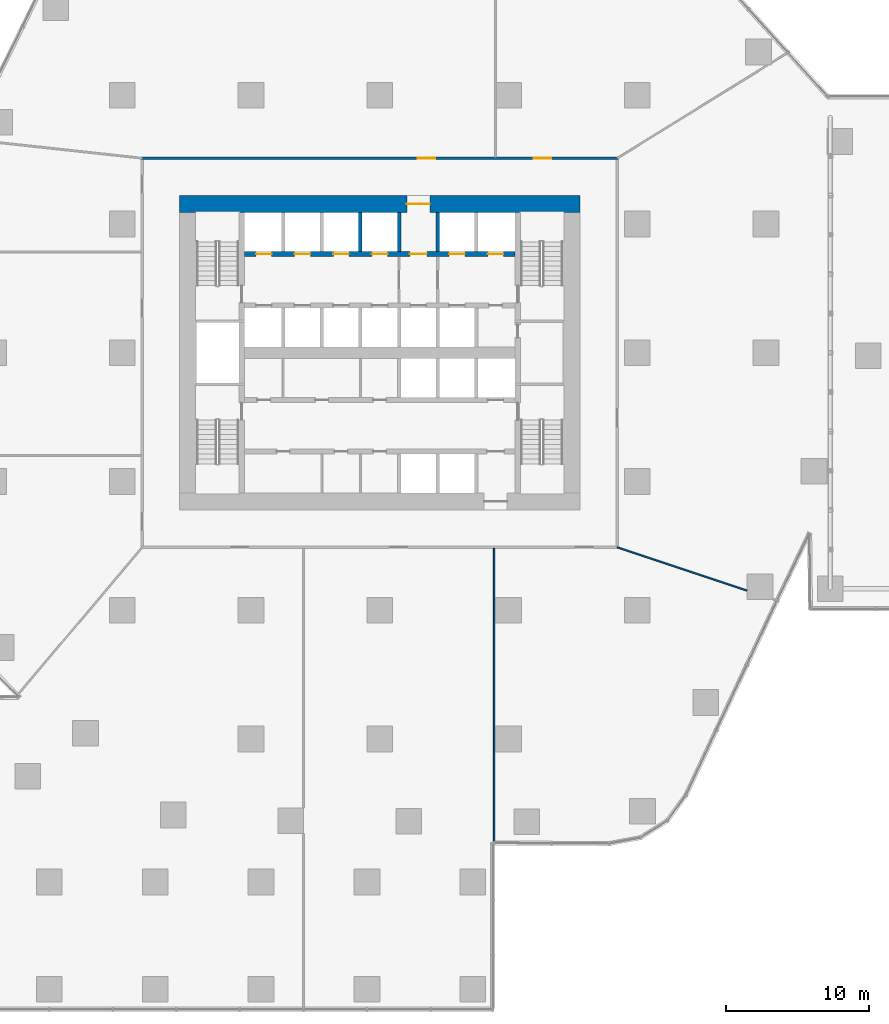
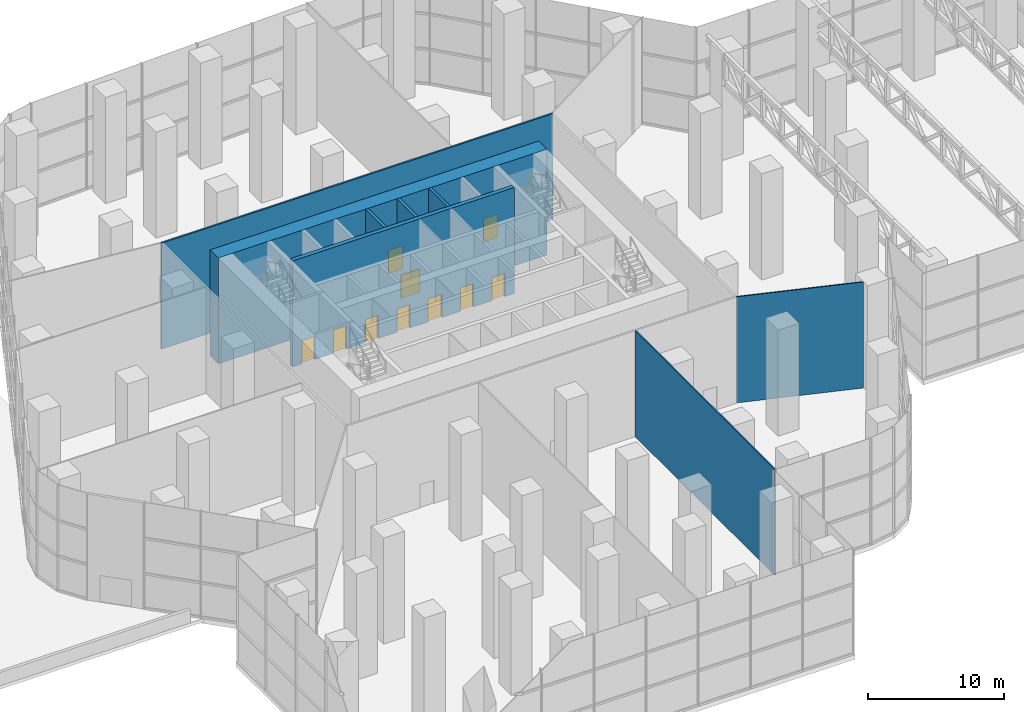
# One storey, part 17 of 21: 10 doors, 8 walls, 10 openings.
"""IFC4 building model written with IfcOpenShell, lengths in metres."""

import ifcopenshell
import ifcopenshell.guid

model = None  # the IFC model being written
_history = None  # IfcOwnerHistory: only IFC2X3 demands one
_inside = {}  # id of a spatial element -> (the spatial element, [elements in it])
_under = {}  # id of a project, library or spatial element -> (it, [spatial elements below it])
_declared = {}  # id of a project -> (the project, [libraries it declares])
_typed = {}  # id of a type object -> (the type object, [elements of that type])
_made_of = {}  # id of a material, layer set ... -> (it, [elements and type objects made of it])


def new_model(schema):
    """Start an empty IFC model of exactly this schema.

    Asked for "IFC4X3", IfcOpenShell would pick the latest addendum, in which some entities
    have other attributes; the version numbers below select the first issue.
    IFC2X3 requires an IfcOwnerHistory on every rooted entity: one is made here for all.
    """
    global model, _history
    if schema == "IFC4X3":
        model = ifcopenshell.file(schema_version=(4, 3, 0, 0))
    else:
        model = ifcopenshell.file(schema=schema)
    _inside.clear()
    _under.clear()
    _declared.clear()
    _typed.clear()
    _made_of.clear()
    _history = None
    if model.schema == "IFC2X3":
        org = make("IfcOrganization", Name="unknown")
        user = make(
            "IfcPersonAndOrganization",
            ThePerson=make("IfcPerson", FamilyName="unknown"),
            TheOrganization=org,
        )
        app = make(
            "IfcApplication",
            ApplicationDeveloper=org,
            Version="unknown",
            ApplicationFullName="unknown",
            ApplicationIdentifier="unknown",
        )
        _history = make(
            "IfcOwnerHistory",
            OwningUser=user,
            OwningApplication=app,
            ChangeAction="ADDED",
            CreationDate=0,
        )
    return model


def make(cls, **values):
    """One entity of the class cls with the attributes given. An attribute that is None is left unset."""
    return model.create_entity(
        cls, **{name: value for name, value in values.items() if value is not None}
    )


def rooted(cls, **values):
    """An entity with a GlobalId (a new one), such as an element, a storey or a relation."""
    return make(cls, GlobalId=ifcopenshell.guid.new(), OwnerHistory=_history, **values)


def si_unit(unit_type, name, prefix=None):
    """IfcSIUnit, for example si_unit("LENGTHUNIT", "METRE", prefix="MILLI")."""
    return make("IfcSIUnit", UnitType=unit_type, Prefix=prefix, Name=name)


def assignment(units):
    """IfcUnitAssignment: the units of a project."""
    return None if units is None else make("IfcUnitAssignment", Units=units)


def point(xyz):
    """IfcCartesianPoint."""
    return None if xyz is None else make("IfcCartesianPoint", Coordinates=xyz)


def direction(xyz):
    """IfcDirection."""
    return None if xyz is None else make("IfcDirection", DirectionRatios=xyz)


def frame(location, z_axis=None, x_axis=None):
    """IfcAxis2Placement3D, a coordinate frame: its origin and axes. An axis left out is left unset."""
    return make(
        "IfcAxis2Placement3D",
        Location=point(location),
        Axis=direction(z_axis),
        RefDirection=direction(x_axis),
    )


def frame_2d(location, x_axis=None):
    """IfcAxis2Placement2D, a coordinate frame in the plane: its origin and x axis."""
    return make(
        "IfcAxis2Placement2D", Location=point(location), RefDirection=direction(x_axis)
    )


def origin():
    """The frame at (0, 0, 0) with its axes left unset."""
    return frame((0.0, 0.0, 0.0))


def place(relative_to, where):
    """IfcLocalPlacement: puts the frame where relative to a parent placement (None: the world)."""
    return make(
        "IfcLocalPlacement", PlacementRelTo=relative_to, RelativePlacement=where
    )


def context(
    kind, dimensions, precision=None, world=None, true_north=None, identifier=None
):
    """IfcGeometricRepresentationContext, for example the 3D "Model" context."""
    return make(
        "IfcGeometricRepresentationContext",
        ContextIdentifier=identifier,
        ContextType=kind,
        CoordinateSpaceDimension=dimensions,
        Precision=precision,
        WorldCoordinateSystem=world,
        TrueNorth=true_north,
    )


def subcontext(parent, identifier, kind, view, scale=None):
    """IfcGeometricRepresentationSubContext, for example "Body" below "Model"."""
    return make(
        "IfcGeometricRepresentationSubContext",
        ContextIdentifier=identifier,
        ContextType=kind,
        ParentContext=parent,
        TargetScale=scale,
        TargetView=view,
    )


def project(units=None, contexts=None):
    """IfcProject with its units and contexts."""
    return rooted(
        "IfcProject",
        Name="project",
        RepresentationContexts=contexts,
        UnitsInContext=assignment(units),
    )


def spatial(cls, under=None, at=None, **own):
    """A site, building, storey or space (cls), placed at a placement, below another one or the project."""
    s = rooted(cls, ObjectPlacement=at, **own)
    if under is not None:
        _under.setdefault(under.id(), (under, []))[1].append(s)
    return s


def profile(cls, at=None, kind="AREA", **sizes):
    """A parametric profile (cls). Its sizes go by their IFC names, for example OverallWidth=200.0."""
    return make(cls, ProfileType=kind, Position=at, **sizes)


def rectangle(**sizes):
    """IfcRectangleProfileDef."""
    return profile("IfcRectangleProfileDef", **sizes)


def extrude(swept, where, along, depth):
    """IfcExtrudedAreaSolid: the profile swept, set in the frame where, extruded along a direction by depth."""
    return make(
        "IfcExtrudedAreaSolid",
        SweptArea=swept,
        Position=where,
        ExtrudedDirection=direction(along),
        Depth=depth,
    )


def shape(context_of_items, identifier, shape_type, items):
    """IfcShapeRepresentation: the items that make up one representation, for example the "Body"."""
    return make(
        "IfcShapeRepresentation",
        ContextOfItems=context_of_items,
        RepresentationIdentifier=identifier,
        RepresentationType=shape_type,
        Items=items,
    )


def material(Name=None, Category=None):
    """IfcMaterial."""
    return make("IfcMaterial", Name=Name, Category=Category)


def layer(
    of_material, thickness, ventilated=None, Name=None, Category=None, Priority=None
):
    """IfcMaterialLayer: one layer of a wall or slab, of a material (None: an air gap)."""
    return make(
        "IfcMaterialLayer",
        Material=of_material,
        LayerThickness=thickness,
        IsVentilated=ventilated,
        Name=Name,
        Category=Category,
        Priority=Priority,
    )


def layer_set(layers, Name=None):
    """IfcMaterialLayerSet."""
    return make("IfcMaterialLayerSet", MaterialLayers=layers, LayerSetName=Name)


def made_of(thing, what):
    """Note that an element or type object is made of a material, layer set ...; save() writes the relation."""
    if what is not None:
        _made_of.setdefault(what.id(), (what, []))[1].append(thing)
    return thing


def type_object(cls, material=None, **own):
    """A type object (cls), such as IfcWallType, which elements share."""
    return made_of(rooted(cls, **own), material)


def element(
    cls,
    number,
    at=None,
    inside=None,
    cuts=None,
    type_object=None,
    material=None,
    context=None,
    identifier="Body",
    shape_type=None,
    held_by="IfcProductDefinitionShape",
    body=None,
    shapes=None,
    **own,
):
    """One element of the class cls, such as IfcWall. Its Tag is "e" and its number.

    at: its placement. inside: the storey or other place that contains it. cuts: it is an
    opening in that element (IfcRelVoidsElement). A single representation is given by context,
    identifier, shape_type and body (its items); several are given by shapes. held_by: the class
    of the entity that holds the representations. save() writes the other relations.
    """
    e = rooted(cls, Tag="e%d" % number, ObjectPlacement=at, **own)
    if body is not None:
        shapes = [shape(context, identifier, shape_type, body)]
    if shapes is not None:
        e.Representation = make(held_by, Representations=shapes)
    if inside is not None:
        _inside.setdefault(inside.id(), (inside, []))[1].append(e)
    if cuts is not None:
        rooted(
            "IfcRelVoidsElement", RelatingBuildingElement=cuts, RelatedOpeningElement=e
        )
    if type_object is not None:
        _typed.setdefault(type_object.id(), (type_object, []))[1].append(e)
    return made_of(e, material)


def fill(opening, filler):
    """IfcRelFillsElement: the door or window that sits in an opening."""
    return rooted(
        "IfcRelFillsElement",
        RelatingOpeningElement=opening,
        RelatedBuildingElement=filler,
    )


def aggregate(whole, parts):
    """IfcRelAggregates: a whole, such as a stair, and the parts it consists of."""
    return rooted("IfcRelAggregates", RelatingObject=whole, RelatedObjects=parts)


def save(model, path):
    """Write the relations noted so far, then the file.

    IfcRelAggregates (storeys below a building ...), IfcRelContainedInSpatialStructure (elements
    in a storey), IfcRelDefinesByType, IfcRelAssociatesMaterial and IfcRelDeclares: one each for
    every whole, place, type object, material and project.
    """
    for whole, parts in _under.values():
        aggregate(whole, parts)
    for where, things in _inside.values():
        rooted(
            "IfcRelContainedInSpatialStructure",
            RelatedElements=things,
            RelatingStructure=where,
        )
    for kind, things in _typed.values():
        rooted("IfcRelDefinesByType", RelatedObjects=things, RelatingType=kind)
    for what, things in _made_of.values():
        rooted("IfcRelAssociatesMaterial", RelatedObjects=things, RelatingMaterial=what)
    for by, libraries in _declared.values():
        rooted("IfcRelDeclares", RelatingContext=by, RelatedDefinitions=libraries)
    model.write(path)


model = new_model("IFC4")

# Units and contexts
model_context = context("Model", 3, precision=1e-05, world=origin(), true_north=direction((0.0, 1.0)))
body_context = subcontext(model_context, "Body", "Model", "MODEL_VIEW")
ifc_project = project(units=[si_unit("LENGTHUNIT", "METRE"), si_unit("AREAUNIT", "SQUARE_METRE"), si_unit("VOLUMEUNIT", "CUBIC_METRE"), si_unit("PLANEANGLEUNIT", "RADIAN"), si_unit("MASSUNIT", "GRAM", prefix="KILO")], contexts=[model_context])

# Site, building, storey
site_placement = place(None, origin())
site = spatial("IfcSite", under=ifc_project, at=site_placement, CompositionType="ELEMENT")
building_placement = place(site_placement, origin())
building = spatial("IfcBuilding", under=site, at=building_placement, Name="Dongbaek Canopy Tower", CompositionType="ELEMENT")
storey_placement = place(building_placement, frame((0.0, 0.0, 9.0)))
storey = spatial("IfcBuildingStorey", under=building, at=storey_placement, Name="L01", CompositionType="ELEMENT", Elevation=9.0)

# Wall, openings, doors
ifc_material_1 = material(Name="Concrete C60/75", Category="concrete")
ifc_layer_1 = layer(ifc_material_1, 0.35009765625)
ifc_layer_set_1 = layer_set([ifc_layer_1], Name="Core lobby wall 350 Concrete C60/75")
wall_type_1 = type_object("IfcWallType", Name="Core lobby wall 350 Concrete C60/75", PredefinedType="SHEAR", material=ifc_layer_set_1)
wall_1_placement = place(storey_placement, frame((-9.449951171875, 6.89990234375, 0.0), z_axis=(0.0, 0.0, 1.0), x_axis=(1.0, 0.0, 0.0)))
wall_1 = element("IfcWall", 1, at=wall_1_placement, inside=storey, type_object=wall_type_1, Name="Core wall", PredefinedType="SHEAR", context=body_context, shape_type="SweptSolid", body=[
    extrude(rectangle(XDim=18.89990234375, YDim=0.35009765625, at=frame_2d((9.449951171875, 0.0))), origin(), (0.0, 0.0, 1.0), 9.550048828125),
])
opening_1_placement = place(wall_1_placement, frame((0.800048828125, 0.0, 0.0)))
opening_1 = element("IfcOpeningElement", 2, at=opening_1_placement, cuts=wall_1, Name="Opening L01-D011", PredefinedType="OPENING", context=body_context, shape_type="SweptSolid", body=[
    extrude(rectangle(XDim=1.10009765625, YDim=2.10009765625, at=frame_2d((0.550048828125, 1.050048828125))), frame((0.0, 0.18505859375, 0.0), z_axis=(0.0, -1.0, 0.0), x_axis=(1.0, 0.0, 0.0)), (0.0, 0.0, 1.0), 0.3701171875),
])
opening_2_placement = place(wall_1_placement, frame((3.5, 0.0, 0.0)))
opening_2 = element("IfcOpeningElement", 3, at=opening_2_placement, cuts=wall_1, Name="Opening L01-D012", PredefinedType="OPENING", context=body_context, shape_type="SweptSolid", body=[
    extrude(rectangle(XDim=1.10009765625, YDim=2.10009765625, at=frame_2d((0.550048828125, 1.050048828125))), frame((0.0, 0.18505859375, 0.0), z_axis=(0.0, -1.0, 0.0), x_axis=(1.0, 0.0, 0.0)), (0.0, 0.0, 1.0), 0.3701171875),
])
opening_3_placement = place(wall_1_placement, frame((6.199951171875, 0.0, 0.0)))
opening_3 = element("IfcOpeningElement", 4, at=opening_3_placement, cuts=wall_1, Name="Opening L01-D013", PredefinedType="OPENING", context=body_context, shape_type="SweptSolid", body=[
    extrude(rectangle(XDim=1.10009765625, YDim=2.10009765625, at=frame_2d((0.550048828125, 1.050048828125))), frame((0.0, 0.18505859375, 0.0), z_axis=(0.0, -1.0, 0.0), x_axis=(1.0, 0.0, 0.0)), (0.0, 0.0, 1.0), 0.3701171875),
])
opening_4_placement = place(wall_1_placement, frame((8.89990234375, 0.0, 0.0)))
opening_4 = element("IfcOpeningElement", 5, at=opening_4_placement, cuts=wall_1, Name="Opening L01-D014", PredefinedType="OPENING", context=body_context, shape_type="SweptSolid", body=[
    extrude(rectangle(XDim=1.10009765625, YDim=2.10009765625, at=frame_2d((0.550048828125, 1.050048828125))), frame((0.0, 0.18505859375, 0.0), z_axis=(0.0, -1.0, 0.0), x_axis=(1.0, 0.0, 0.0)), (0.0, 0.0, 1.0), 0.3701171875),
])
opening_5_placement = place(wall_1_placement, frame((11.550048828125, 0.0, 0.0)))
opening_5 = element("IfcOpeningElement", 6, at=opening_5_placement, cuts=wall_1, Name="Opening L01-D016", PredefinedType="OPENING", context=body_context, shape_type="SweptSolid", body=[
    extrude(rectangle(XDim=1.199951171875, YDim=2.10009765625, at=frame_2d((0.60009765625, 1.050048828125))), frame((0.0, 0.18505859375, 0.0), z_axis=(0.0, -1.0, 0.0), x_axis=(1.0, 0.0, 0.0)), (0.0, 0.0, 1.0), 0.3701171875),
])
opening_6_placement = place(wall_1_placement, frame((14.300048828125, 0.0, 0.0)))
opening_6 = element("IfcOpeningElement", 7, at=opening_6_placement, cuts=wall_1, Name="Opening L01-D017", PredefinedType="OPENING", context=body_context, shape_type="SweptSolid", body=[
    extrude(rectangle(XDim=1.10009765625, YDim=2.10009765625, at=frame_2d((0.550048828125, 1.050048828125))), frame((0.0, 0.18505859375, 0.0), z_axis=(0.0, -1.0, 0.0), x_axis=(1.0, 0.0, 0.0)), (0.0, 0.0, 1.0), 0.3701171875),
])
opening_7_placement = place(wall_1_placement, frame((17.0, 0.0, 0.0)))
opening_7 = element("IfcOpeningElement", 8, at=opening_7_placement, cuts=wall_1, Name="Opening L01-D018", PredefinedType="OPENING", context=body_context, shape_type="SweptSolid", body=[
    extrude(rectangle(XDim=1.10009765625, YDim=2.10009765625, at=frame_2d((0.550048828125, 1.050048828125))), frame((0.0, 0.18505859375, 0.0), z_axis=(0.0, -1.0, 0.0), x_axis=(1.0, 0.0, 0.0)), (0.0, 0.0, 1.0), 0.3701171875),
])
ifc_material_2 = material(Name="Steel", Category="steel")
door_type_1 = type_object("IfcDoorType", Name="Fire lobby door 1200 x 2100", OperationType="SINGLE_SWING_LEFT", PredefinedType="DOOR", material=ifc_material_2)
door_1_placement = place(opening_5_placement, origin())
door_1 = element("IfcDoor", 9, at=door_1_placement, inside=storey, type_object=door_type_1, Name="Door L01-D016", OperationType="SINGLE_SWING_LEFT", OverallHeight=2.10009765625, OverallWidth=1.199951171875, PredefinedType="DOOR", context=body_context, shape_type="SweptSolid", body=[
    extrude(rectangle(XDim=1.199951171875, YDim=2.10009765625, at=frame_2d((0.60009765625, 1.050048828125))), frame((0.0, 0.02490234375, 0.0), z_axis=(0.0, -1.0, 0.0), x_axis=(1.0, 0.0, 0.0)), (0.0, 0.0, 1.0), 0.050048828125),
])
fill(opening_5, door_1)
ifc_material_3 = material(Name="Stainless steel", Category="steel")
door_type_2 = type_object("IfcDoorType", Name="Lift landing door 1100 x 2100", OperationType="DOUBLE_DOOR_SLIDING", PredefinedType="DOOR", material=ifc_material_3)
door_2_placement = place(opening_1_placement, origin())
door_2 = element("IfcDoor", 10, at=door_2_placement, inside=storey, type_object=door_type_2, Name="Landing door LR1", OperationType="DOUBLE_DOOR_SLIDING", OverallHeight=2.10009765625, OverallWidth=1.10009765625, PredefinedType="DOOR", context=body_context, shape_type="SweptSolid", body=[
    extrude(rectangle(XDim=1.10009765625, YDim=2.10009765625, at=frame_2d((0.550048828125, 1.050048828125))), frame((0.0, 0.02490234375, 0.0), z_axis=(0.0, -1.0, 0.0), x_axis=(1.0, 0.0, 0.0)), (0.0, 0.0, 1.0), 0.050048828125),
])
fill(opening_1, door_2)
door_3_placement = place(opening_2_placement, origin())
door_3 = element("IfcDoor", 11, at=door_3_placement, inside=storey, type_object=door_type_2, Name="Landing door LR2", OperationType="DOUBLE_DOOR_SLIDING", OverallHeight=2.10009765625, OverallWidth=1.10009765625, PredefinedType="DOOR", context=body_context, shape_type="SweptSolid", body=[
    extrude(rectangle(XDim=1.10009765625, YDim=2.10009765625, at=frame_2d((0.550048828125, 1.050048828125))), frame((0.0, 0.02490234375, 0.0), z_axis=(0.0, -1.0, 0.0), x_axis=(1.0, 0.0, 0.0)), (0.0, 0.0, 1.0), 0.050048828125),
])
fill(opening_2, door_3)
door_4_placement = place(opening_3_placement, origin())
door_4 = element("IfcDoor", 12, at=door_4_placement, inside=storey, type_object=door_type_2, Name="Landing door LR3", OperationType="DOUBLE_DOOR_SLIDING", OverallHeight=2.10009765625, OverallWidth=1.10009765625, PredefinedType="DOOR", context=body_context, shape_type="SweptSolid", body=[
    extrude(rectangle(XDim=1.10009765625, YDim=2.10009765625, at=frame_2d((0.550048828125, 1.050048828125))), frame((0.0, 0.02490234375, 0.0), z_axis=(0.0, -1.0, 0.0), x_axis=(1.0, 0.0, 0.0)), (0.0, 0.0, 1.0), 0.050048828125),
])
fill(opening_3, door_4)
door_5_placement = place(opening_4_placement, origin())
door_5 = element("IfcDoor", 13, at=door_5_placement, inside=storey, type_object=door_type_2, Name="Landing door LR4", OperationType="DOUBLE_DOOR_SLIDING", OverallHeight=2.10009765625, OverallWidth=1.10009765625, PredefinedType="DOOR", context=body_context, shape_type="SweptSolid", body=[
    extrude(rectangle(XDim=1.10009765625, YDim=2.10009765625, at=frame_2d((0.550048828125, 1.050048828125))), frame((0.0, 0.02490234375, 0.0), z_axis=(0.0, -1.0, 0.0), x_axis=(1.0, 0.0, 0.0)), (0.0, 0.0, 1.0), 0.050048828125),
])
fill(opening_4, door_5)
door_6_placement = place(opening_6_placement, origin())
door_6 = element("IfcDoor", 14, at=door_6_placement, inside=storey, type_object=door_type_2, Name="Landing door FF1", OperationType="DOUBLE_DOOR_SLIDING", OverallHeight=2.10009765625, OverallWidth=1.10009765625, PredefinedType="DOOR", context=body_context, shape_type="SweptSolid", body=[
    extrude(rectangle(XDim=1.10009765625, YDim=2.10009765625, at=frame_2d((0.550048828125, 1.050048828125))), frame((0.0, 0.02490234375, 0.0), z_axis=(0.0, -1.0, 0.0), x_axis=(1.0, 0.0, 0.0)), (0.0, 0.0, 1.0), 0.050048828125),
])
fill(opening_6, door_6)
door_7_placement = place(opening_7_placement, origin())
door_7 = element("IfcDoor", 15, at=door_7_placement, inside=storey, type_object=door_type_2, Name="Landing door FF2", OperationType="DOUBLE_DOOR_SLIDING", OverallHeight=2.10009765625, OverallWidth=1.10009765625, PredefinedType="DOOR", context=body_context, shape_type="SweptSolid", body=[
    extrude(rectangle(XDim=1.10009765625, YDim=2.10009765625, at=frame_2d((0.550048828125, 1.050048828125))), frame((0.0, 0.02490234375, 0.0), z_axis=(0.0, -1.0, 0.0), x_axis=(1.0, 0.0, 0.0)), (0.0, 0.0, 1.0), 0.050048828125),
])
fill(opening_7, door_7)

# Wall, opening, door
ifc_material_4 = material(Name="Concrete C60/75", Category="concrete")
ifc_layer_2 = layer(ifc_material_4, 1.199951171875)
ifc_layer_set_2 = layer_set([ifc_layer_2], Name="Core outer wall 1200 Concrete C60/75")
wall_type_2 = type_object("IfcWallType", Name="Core outer wall 1200 Concrete C60/75", PredefinedType="SHEAR", material=ifc_layer_set_2)
wall_2_placement = place(storey_placement, frame((-14.0, 10.39990234375, 0.0), z_axis=(0.0, 0.0, 1.0), x_axis=(1.0, 0.0, 0.0)))
wall_2 = element("IfcWall", 16, at=wall_2_placement, inside=storey, type_object=wall_type_2, Name="Core wall", PredefinedType="SHEAR", context=body_context, shape_type="SweptSolid", body=[
    extrude(rectangle(XDim=28.0, YDim=1.199951171875, at=frame_2d((14.0, 0.0))), origin(), (0.0, 0.0, 1.0), 9.550048828125),
])
opening_8_placement = place(wall_2_placement, frame((15.89990234375, 0.0, 0.0)))
opening_8 = element("IfcOpeningElement", 17, at=opening_8_placement, cuts=wall_2, Name="Opening L01-D015", PredefinedType="OPENING", context=body_context, shape_type="SweptSolid", body=[
    extrude(rectangle(XDim=1.60009765625, YDim=2.10009765625, at=frame_2d((0.800048828125, 1.050048828125))), frame((0.0, 0.60986328125, 0.0), z_axis=(0.0, -1.0, 0.0), x_axis=(1.0, 0.0, 0.0)), (0.0, 0.0, 1.0), 1.219970703125),
])
ifc_material_5 = material(Name="Steel", Category="steel")
door_type_3 = type_object("IfcDoorType", Name="Core exit door 1600 x 2100", OperationType="DOUBLE_DOOR_SINGLE_SWING", PredefinedType="DOOR", material=ifc_material_5)
door_8_placement = place(opening_8_placement, origin())
door_8 = element("IfcDoor", 18, at=door_8_placement, inside=storey, type_object=door_type_3, Name="Core exit door", OperationType="DOUBLE_DOOR_SINGLE_SWING", OverallHeight=2.10009765625, OverallWidth=1.60009765625, PredefinedType="DOOR", context=body_context, shape_type="SweptSolid", body=[
    extrude(rectangle(XDim=1.60009765625, YDim=2.10009765625, at=frame_2d((0.800048828125, 1.050048828125))), frame((0.0, 0.02490234375, 0.0), z_axis=(0.0, -1.0, 0.0), x_axis=(1.0, 0.0, 0.0)), (0.0, 0.0, 1.0), 0.050048828125),
])
fill(opening_8, door_8)

# Wall, openings, doors
ifc_material_6 = material(Name="Gypsum board partition, steel stud, 2 x 15 mm fire board", Category="steel")
ifc_layer_3 = layer(ifc_material_6, 0.14990234375)
ifc_layer_set_3 = layer_set([ifc_layer_3], Name="Fire-rated partition 150 gypsum board")
wall_type_3 = type_object("IfcWallType", Name="Fire-rated partition 150 gypsum board", PredefinedType="PARTITIONING", material=ifc_layer_set_3)
wall_3_placement = place(storey_placement, frame((-16.675048828125, 13.60009765625, 0.0), z_axis=(0.0, 0.0, 1.0), x_axis=(1.0, 0.0, 0.0)))
wall_3 = element("IfcWall", 19, at=wall_3_placement, inside=storey, type_object=wall_type_3, Name="Corridor partition", PredefinedType="PARTITIONING", context=body_context, shape_type="SweptSolid", body=[
    extrude(rectangle(XDim=33.35009765625, YDim=0.14990234375, at=frame_2d((16.675048828125, 0.0))), origin(), (0.0, 0.0, 1.0), 9.550048828125),
])
opening_9_placement = place(wall_3_placement, frame((27.447021484375, 0.0, 0.0)))
opening_9 = element("IfcOpeningElement", 20, at=opening_9_placement, cuts=wall_3, Name="Opening L01-D007", PredefinedType="OPENING", context=body_context, shape_type="SweptSolid", body=[
    extrude(rectangle(XDim=1.199951171875, YDim=2.10009765625, at=frame_2d((0.60009765625, 1.050048828125))), frame((0.0, 0.0849609375, 0.0), z_axis=(0.0, -1.0, 0.0), x_axis=(1.0, 0.0, 0.0)), (0.0, 0.0, 1.0), 0.169921875),
])
opening_10_placement = place(wall_3_placement, frame((19.345947265625, 0.0, 0.0)))
opening_10 = element("IfcOpeningElement", 21, at=opening_10_placement, cuts=wall_3, Name="Opening L01-D008", PredefinedType="OPENING", context=body_context, shape_type="SweptSolid", body=[
    extrude(rectangle(XDim=1.199951171875, YDim=2.10009765625, at=frame_2d((0.60009765625, 1.050048828125))), frame((0.0, 0.0849609375, 0.0), z_axis=(0.0, -1.0, 0.0), x_axis=(1.0, 0.0, 0.0)), (0.0, 0.0, 1.0), 0.169921875),
])
ifc_material_7 = material(Name="Timber veneered door leaf", Category="wood")
door_type_4 = type_object("IfcDoorType", Name="Room door 1200 x 2100", OperationType="SINGLE_SWING_LEFT", PredefinedType="DOOR", material=ifc_material_7)
door_9_placement = place(opening_9_placement, origin())
door_9 = element("IfcDoor", 22, at=door_9_placement, inside=storey, type_object=door_type_4, Name="Door L01-D007", OperationType="SINGLE_SWING_RIGHT", OverallHeight=2.10009765625, OverallWidth=1.199951171875, PredefinedType="DOOR", context=body_context, shape_type="SweptSolid", body=[
    extrude(rectangle(XDim=1.199951171875, YDim=2.10009765625, at=frame_2d((0.60009765625, 1.050048828125))), frame((0.0, 0.02490234375, 0.0), z_axis=(0.0, -1.0, 0.0), x_axis=(1.0, 0.0, 0.0)), (0.0, 0.0, 1.0), 0.050048828125),
])
fill(opening_9, door_9)
door_10_placement = place(opening_10_placement, origin())
door_10 = element("IfcDoor", 23, at=door_10_placement, inside=storey, type_object=door_type_4, Name="Door L01-D008", OperationType="SINGLE_SWING_LEFT", OverallHeight=2.10009765625, OverallWidth=1.199951171875, PredefinedType="DOOR", context=body_context, shape_type="SweptSolid", body=[
    extrude(rectangle(XDim=1.199951171875, YDim=2.10009765625, at=frame_2d((0.60009765625, 1.050048828125))), frame((0.0, 0.02490234375, 0.0), z_axis=(0.0, -1.0, 0.0), x_axis=(1.0, 0.0, 0.0)), (0.0, 0.0, 1.0), 0.050048828125),
])
fill(opening_10, door_10)

# Walls
ifc_material_8 = material(Name="Concrete C40/50", Category="concrete")
ifc_layer_4 = layer(ifc_material_8, 0.25)
ifc_layer_set_4 = layer_set([ifc_layer_4], Name="Lift shaft wall 250 Concrete C40/50")
wall_type_4 = type_object("IfcWallType", Name="Lift shaft wall 250 Concrete C40/50", PredefinedType="SOLIDWALL", material=ifc_layer_set_4)
for number, where, z_axis, x_axis, name in (
    (24, (4.050048828125, 7.074951171875, 0.0), (0.0, 0.0, 1.0), (0.0, 1.0, 0.0), "Lift shaft wall"),
    (25, (1.35009765625, 7.074951171875, 0.0), (0.0, 0.0, 1.0), (0.0, 1.0, 0.0), "Lift shaft wall"),
    (26, (-1.35009765625, 7.074951171875, 0.0), (0.0, 0.0, 1.0), (0.0, 1.0, 0.0), "Lift shaft wall"),
):
    element("IfcWall", number, at=place(storey_placement, frame(where, z_axis=z_axis, x_axis=x_axis)), inside=storey, type_object=wall_type_4, Name=name, PredefinedType="SOLIDWALL", context=body_context, shape_type="SweptSolid", body=[
        extrude(rectangle(XDim=2.72509765625, YDim=0.25, at=frame_2d((1.362548828125, 0.0))), origin(), (0.0, 0.0, 1.0), 9.550048828125),
    ])
ifc_material_9 = material(Name="Gypsum board partition, steel stud, 2 x 12.5 mm board", Category="steel")
ifc_layer_5 = layer(ifc_material_9, 0.10009765625)
ifc_layer_set_5 = layer_set([ifc_layer_5], Name="Partition 100 gypsum board")
wall_type_5 = type_object("IfcWallType", Name="Partition 100 gypsum board", PredefinedType="PARTITIONING", material=ifc_layer_set_5)
wall_4_placement = place(storey_placement, frame((8.0, -34.260009765625, 0.0), z_axis=(0.0, 0.0, 1.0), x_axis=(0.0, 1.0, 0.0)))
element("IfcWall", 27, at=wall_4_placement, inside=storey, type_object=wall_type_5, Name="Partition", PredefinedType="PARTITIONING", context=body_context, shape_type="SweptSolid", body=[
    extrude(rectangle(XDim=20.5849609375, YDim=0.10009765625, at=frame_2d((10.29248046875, 0.0))), origin(), (0.0, 0.0, 1.0), 9.550048828125),
])
wall_5_placement = place(storey_placement, frame((16.60009765625, -13.599609375, 0.0), z_axis=(0.0, 0.0, 1.0), x_axis=(0.948711366471, -0.316143548294, 0.0)))
element("IfcWall", 28, at=wall_5_placement, inside=storey, type_object=wall_type_5, Name="Partition", PredefinedType="PARTITIONING", context=body_context, shape_type="SweptSolid", body=[
    extrude(rectangle(XDim=9.566650390625, YDim=0.10009765625, at=frame_2d((4.783203125, 0.0))), origin(), (0.0, 0.0, 1.0), 9.550048828125),
])

save(model, "model.ifc")
